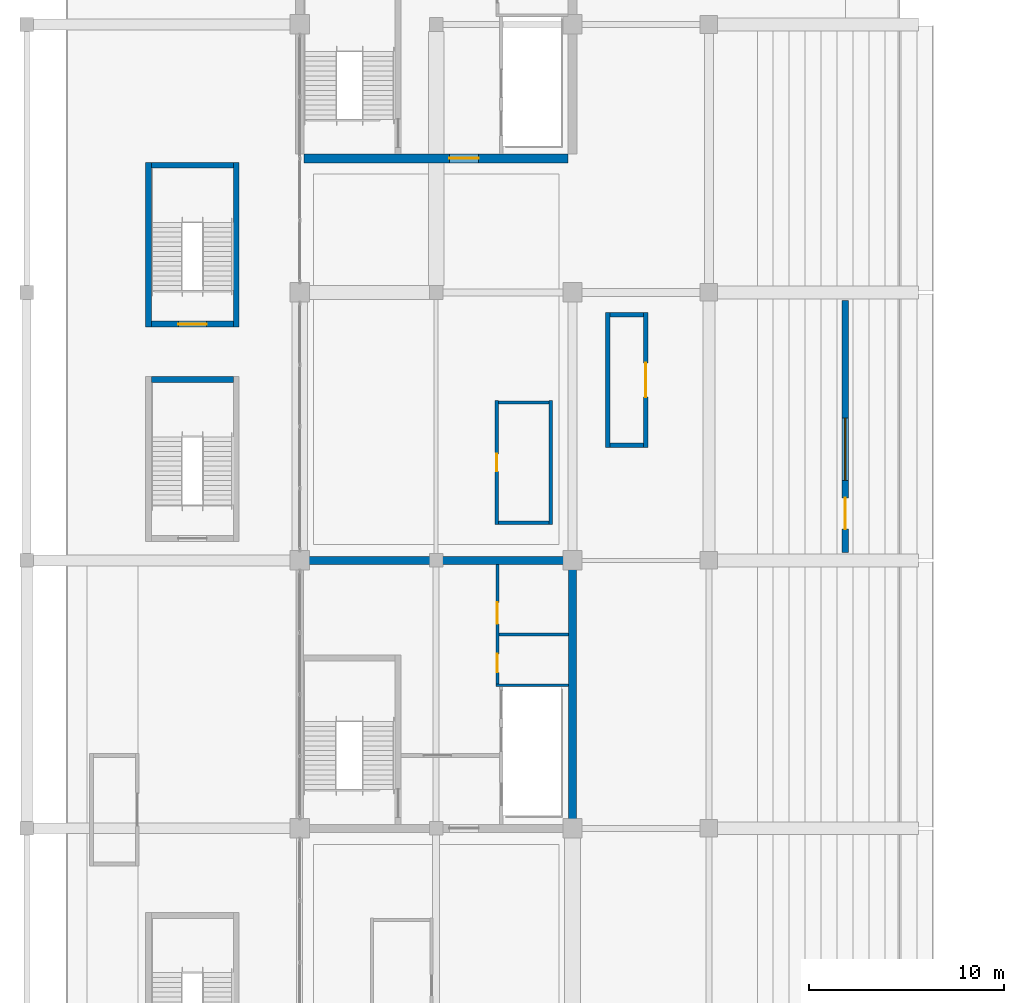
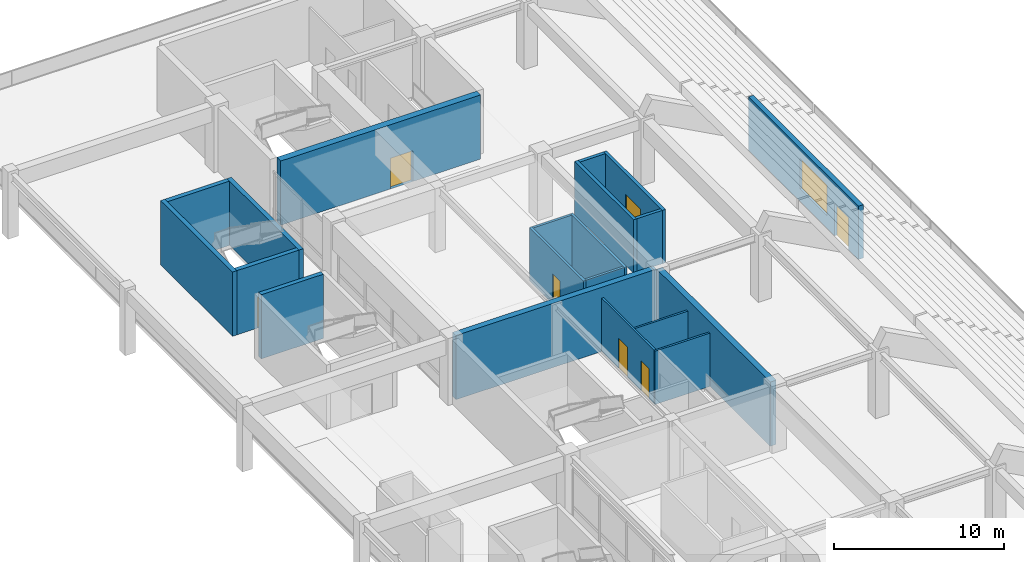
# One storey, part 72 of 94: 20 walls, 7 doors, 1 window, 8 openings.
"""IFC4 building model written with IfcOpenShell, lengths in metres."""

from ifc_helpers import new_model, si_unit, direction, frame, frame_2d, origin, place, context, subcontext, project, spatial, rectangle, extrude, material, layer, layer_set, type_object, element, fill, save


model = new_model("IFC4")

# Units and contexts
model_context = context("Model", 3, precision=1e-05, world=origin(), true_north=direction((0.0, 1.0)))
body_context = subcontext(model_context, "Body", "Model", "MODEL_VIEW")
ifc_project = project(units=[si_unit("LENGTHUNIT", "METRE"), si_unit("AREAUNIT", "SQUARE_METRE"), si_unit("VOLUMEUNIT", "CUBIC_METRE"), si_unit("PLANEANGLEUNIT", "RADIAN"), si_unit("MASSUNIT", "GRAM", prefix="KILO")], contexts=[model_context])

# Site, building, storey
site_placement = place(None, origin())
site = spatial("IfcSite", under=ifc_project, at=site_placement, CompositionType="ELEMENT")
building_placement = place(site_placement, origin())
building = spatial("IfcBuilding", under=site, at=building_placement, Name="Linyun Crest Stadium", CompositionType="ELEMENT")
storey_placement = place(building_placement, frame((0.0, 0.0, 16.199951171875)))
storey = spatial("IfcBuildingStorey", under=building, at=storey_placement, Name="L04", CompositionType="ELEMENT", Elevation=16.199951171875)

# Walls
ifc_material_1 = material(Name="Concrete C50", Category="concrete")
ifc_layer_1 = layer(ifc_material_1, 0.39990234375)
ifc_layer_set_1 = layer_set([ifc_layer_1], Name="Concrete C50")
wall_type_1 = type_object("IfcWallType", Name="CW02", PredefinedType="SHEAR", material=ifc_layer_set_1)
wall_1_placement = place(storey_placement, frame((-70.0, 2.324951171875, 0.0), z_axis=(0.0, 0.0, 1.0), x_axis=(0.0, 1.0, 0.0)))
element("IfcWall", 1, at=wall_1_placement, inside=storey, type_object=wall_type_1, Name="Core shear wall CW02 CORE-W2 L04.2", PredefinedType="SHEAR", context=body_context, shape_type="SweptSolid", body=[
    extrude(rectangle(XDim=13.35009765625, YDim=0.39990234375, at=frame_2d((6.675048828125, 0.0))), origin(), (0.0, 0.0, 1.0), 4.60009765625),
])
wall_2_placement = place(storey_placement, frame((-83.800048828125, 15.875, 0.0), z_axis=(0.0, 0.0, 1.0), x_axis=(1.0, 0.0, 0.0)))
element("IfcWall", 2, at=wall_2_placement, inside=storey, type_object=wall_type_1, Name="Core shear wall CW02 CORE-W2 L04.4", PredefinedType="SHEAR", context=body_context, shape_type="SweptSolid", body=[
    extrude(rectangle(XDim=13.60009765625, YDim=0.39990234375, at=frame_2d((6.800048828125, 0.0))), origin(), (0.0, 0.0, 1.0), 4.60009765625),
])

# Wall, opening, door
ifc_material_2 = material(Name="Concrete C50", Category="concrete")
ifc_layer_2 = layer(ifc_material_2, 0.449951171875)
ifc_layer_set_2 = layer_set([ifc_layer_2], Name="Concrete C50")
wall_type_2 = type_object("IfcWallType", Name="CW03", PredefinedType="SHEAR", material=ifc_layer_set_2)
wall_3_placement = place(storey_placement, frame((-83.77490234375, 36.5, 0.0), z_axis=(0.0, 0.0, 1.0), x_axis=(1.0, 0.0, 0.0)))
wall_3 = element("IfcWall", 3, at=wall_3_placement, inside=storey, type_object=wall_type_2, Name="Core shear wall CW03 CORE-W3 L04.3", PredefinedType="SHEAR", context=body_context, shape_type="SweptSolid", body=[
    extrude(rectangle(XDim=13.5498046875, YDim=0.449951171875, at=frame_2d((6.77490234375, 0.0))), origin(), (0.0, 0.0, 1.0), 4.60009765625),
])
opening_1_placement = place(wall_3_placement, frame((7.452880859375, 0.0, 0.0)))
opening_1 = element("IfcOpeningElement", 4, at=opening_1_placement, cuts=wall_3, Name="Opening D-L04-130", PredefinedType="OPENING", context=body_context, shape_type="SweptSolid", body=[
    extrude(rectangle(XDim=1.5, YDim=2.199951171875, at=frame_2d((0.75, 1.10009765625))), frame((0.0, 0.23486328125, 0.0), z_axis=(0.0, -1.0, 0.0), x_axis=(1.0, 0.0, 0.0)), (0.0, 0.0, 1.0), 0.469970703125),
])
ifc_material_3 = material(Name="Galvanized steel Class A fire door", Category="steel")
ifc_layer_3 = layer(ifc_material_3, 0.054931640625)
ifc_layer_set_3 = layer_set([ifc_layer_3], Name="Galvanized steel Class A fire door")
door_type_1 = type_object("IfcDoorType", Name="FD01", OperationType="NOTDEFINED", PredefinedType="DOOR", material=ifc_layer_set_3)
door_1_placement = place(opening_1_placement, origin())
door_1 = element("IfcDoor", 5, at=door_1_placement, inside=storey, type_object=door_type_1, Name="Door D-L04-130", OperationType="SINGLE_SWING_RIGHT", OverallHeight=2.199951171875, OverallWidth=1.5, PredefinedType="DOOR", context=body_context, shape_type="SweptSolid", body=[
    extrude(rectangle(XDim=1.5, YDim=2.199951171875, at=frame_2d((0.75, 1.10009765625))), frame((0.0, 0.02490234375, 0.0), z_axis=(0.0, -1.0, 0.0), x_axis=(1.0, 0.0, 0.0)), (0.0, 0.0, 1.0), 0.050048828125),
])
fill(opening_1, door_1)

# Wall, openings, door, window
ifc_material_4 = material(Name="Precast concrete C40 insulated facade panel", Category="concrete")
ifc_layer_4 = layer(ifc_material_4, 0.330078125)
ifc_layer_set_4 = layer_set([ifc_layer_4], Name="Precast concrete C40 insulated facade panel")
wall_type_3 = type_object("IfcWallType", Name="EW05", PredefinedType="SOLIDWALL", material=ifc_layer_set_4)
wall_4_placement = place(storey_placement, frame((-56.0, 16.280029296875, 0.0), z_axis=(0.0, 0.0, 1.0), x_axis=(0.0, 1.0, 0.0)))
wall_4 = element("IfcWall", 6, at=wall_4_placement, inside=storey, type_object=wall_type_3, Name="Exterior wall EW05 L04 67", PredefinedType="SOLIDWALL", context=body_context, shape_type="SweptSolid", body=[
    extrude(rectangle(XDim=12.93994140625, YDim=0.330078125, at=frame_2d((6.469970703125, 0.0))), origin(), (0.0, 0.0, 1.0), 3.820068359375),
])
opening_2_placement = place(wall_4_placement, frame((1.199951171875, 0.0, 0.0)))
opening_2 = element("IfcOpeningElement", 7, at=opening_2_placement, cuts=wall_4, Name="Opening BD-L04-06", PredefinedType="OPENING", context=body_context, shape_type="SweptSolid", body=[
    extrude(rectangle(XDim=1.60009765625, YDim=2.300048828125, at=frame_2d((0.800048828125, 1.14990234375))), frame((0.0, 0.175048828125, 0.0), z_axis=(0.0, -1.0, 0.0), x_axis=(1.0, 0.0, 0.0)), (0.0, 0.0, 1.0), 0.35009765625),
])
opening_3_placement = place(wall_4_placement, frame((3.699951171875, 0.0, 0.89990234375)))
opening_3 = element("IfcOpeningElement", 8, at=opening_3_placement, cuts=wall_4, Name="Opening WN10", PredefinedType="OPENING", context=body_context, shape_type="SweptSolid", body=[
    extrude(rectangle(XDim=3.199951171875, YDim=2.199951171875, at=frame_2d((1.60009765625, 1.10009765625))), frame((0.0, 0.175048828125, 0.0), z_axis=(0.0, -1.0, 0.0), x_axis=(1.0, 0.0, 0.0)), (0.0, 0.0, 1.0), 0.35009765625),
])
ifc_material_5 = material(Name="Thermally broken aluminium and low-E glass", Category="aluminium")
ifc_layer_5 = layer(ifc_material_5, 0.054931640625)
ifc_layer_set_5 = layer_set([ifc_layer_5], Name="Thermally broken aluminium and low-E glass")
door_type_2 = type_object("IfcDoorType", Name="BD04", OperationType="NOTDEFINED", PredefinedType="DOOR", material=ifc_layer_set_5)
door_2_placement = place(opening_2_placement, origin())
door_2 = element("IfcDoor", 9, at=door_2_placement, inside=storey, type_object=door_type_2, Name="Terrace door BD-L04-06", OperationType="SINGLE_SWING_RIGHT", OverallHeight=2.300048828125, OverallWidth=1.60009765625, PredefinedType="DOOR", context=body_context, shape_type="SweptSolid", body=[
    extrude(rectangle(XDim=1.60009765625, YDim=2.300048828125, at=frame_2d((0.800048828125, 1.14990234375))), frame((0.0, 0.02490234375, 0.0), z_axis=(0.0, -1.0, 0.0), x_axis=(1.0, 0.0, 0.0)), (0.0, 0.0, 1.0), 0.050048828125),
])
fill(opening_2, door_2)
ifc_material_6 = material(Name="Hospitality panoramic low-E vision window")
ifc_layer_6 = layer(ifc_material_6, 0.06494140625)
ifc_layer_set_6 = layer_set([ifc_layer_6], Name="Hospitality panoramic low-E vision window")
window_type = type_object("IfcWindowType", Name="WN10", PartitioningType="SINGLE_PANEL", PredefinedType="WINDOW", material=ifc_layer_set_6)
window_placement = place(opening_3_placement, origin())
window = element("IfcWindow", 10, at=window_placement, inside=storey, type_object=window_type, Name="Window WN10 L04 42", OverallHeight=2.199951171875, OverallWidth=3.199951171875, PartitioningType="SINGLE_PANEL", PredefinedType="WINDOW", context=body_context, shape_type="SweptSolid", body=[
    extrude(rectangle(XDim=3.199951171875, YDim=2.199951171875, at=frame_2d((1.60009765625, 1.10009765625))), frame((0.0, 0.030029296875, 0.0), z_axis=(0.0, -1.0, 0.0), x_axis=(1.0, 0.0, 0.0)), (0.0, 0.0, 1.0), 0.06005859375),
])
fill(opening_3, window)

# Wall, opening, door
ifc_material_7 = material(Name="Double steel-stud acoustic fire partition", Category="steel")
ifc_layer_7 = layer(ifc_material_7, 0.1650390625)
ifc_layer_set_7 = layer_set([ifc_layer_7], Name="Double steel-stud acoustic fire partition")
wall_type_4 = type_object("IfcWallType", Name="PW13", PredefinedType="PARTITIONING", material=ifc_layer_set_7)
wall_5_placement = place(storey_placement, frame((-73.89208984375, 17.72802734375, 0.0), z_axis=(0.0, 0.0, 1.0), x_axis=(0.0, 1.0, 0.0)))
wall_5 = element("IfcWall", 11, at=wall_5_placement, inside=storey, type_object=wall_type_4, Name="Partition PW13 L04 216", PredefinedType="PARTITIONING", context=body_context, shape_type="SweptSolid", body=[
    extrude(rectangle(XDim=6.340087890625, YDim=0.1650390625, at=frame_2d((3.169921875, 0.0))), origin(), (0.0, 0.0, 1.0), 3.820068359375),
])
opening_4_placement = place(wall_5_placement, frame((2.719970703125, 0.0, 0.0)))
opening_4 = element("IfcOpeningElement", 12, at=opening_4_placement, cuts=wall_5, Name="Opening D-L04-479", PredefinedType="OPENING", context=body_context, shape_type="SweptSolid", body=[
    extrude(rectangle(XDim=0.89990234375, YDim=2.14990234375, at=frame_2d((0.449951171875, 1.074951171875))), frame((0.0, 0.092529296875, 0.0), z_axis=(0.0, -1.0, 0.0), x_axis=(1.0, 0.0, 0.0)), (0.0, 0.0, 1.0), 0.18505859375),
])
ifc_material_8 = material(Name="Acoustic glazed booth door")
ifc_layer_8 = layer(ifc_material_8, 0.050048828125)
ifc_layer_set_8 = layer_set([ifc_layer_8], Name="Acoustic glazed booth door")
door_type_3 = type_object("IfcDoorType", Name="ID11", OperationType="NOTDEFINED", PredefinedType="DOOR", material=ifc_layer_set_8)
door_3_placement = place(opening_4_placement, origin())
door_3 = element("IfcDoor", 13, at=door_3_placement, inside=storey, type_object=door_type_3, Name="Door D-L04-479", OperationType="SINGLE_SWING_LEFT", OverallHeight=2.14990234375, OverallWidth=0.89990234375, PredefinedType="DOOR", context=body_context, shape_type="SweptSolid", body=[
    extrude(rectangle(XDim=0.89990234375, YDim=2.14990234375, at=frame_2d((0.449951171875, 1.074951171875))), frame((0.0, 0.02490234375, 0.0), z_axis=(0.0, -1.0, 0.0), x_axis=(1.0, 0.0, 0.0)), (0.0, 0.0, 1.0), 0.050048828125),
])
fill(opening_4, door_3)

# Walls
wall_6_placement = place(storey_placement, frame((-71.112060546875, 17.72802734375, 0.0), z_axis=(0.0, 0.0, 1.0), x_axis=(0.0, 1.0, 0.0)))
element("IfcWall", 14, at=wall_6_placement, inside=storey, type_object=wall_type_4, Name="Enclosure partition PW13 L04 364", PredefinedType="PARTITIONING", context=body_context, shape_type="SweptSolid", body=[
    extrude(rectangle(XDim=6.340087890625, YDim=0.1650390625, at=frame_2d((3.169921875, 0.0))), origin(), (0.0, 0.0, 1.0), 3.820068359375),
])
for number, where, z_axis, x_axis, name in (
    (15, (-73.80908203125, 17.81103515625, 0.0), (0.0, 0.0, 1.0), (1.0, 0.0, 0.0), "Enclosure partition PW13 L04 365"),
    (16, (-73.80908203125, 23.985107421875, 0.0), (0.0, 0.0, 1.0), (1.0, 0.0, 0.0), "Enclosure partition PW13 L04 366"),
):
    element("IfcWall", number, at=place(storey_placement, frame(where, z_axis=z_axis, x_axis=x_axis)), inside=storey, type_object=wall_type_4, Name=name, PredefinedType="PARTITIONING", context=body_context, shape_type="SweptSolid", body=[
        extrude(rectangle(XDim=2.614013671875, YDim=0.1650390625, at=frame_2d((1.30712890625, 0.0))), origin(), (0.0, 0.0, 1.0), 3.820068359375),
    ])

# Wall, openings, doors
ifc_material_9 = material(Name="Moisture-resistant ceramic-tiled wet-room wall")
ifc_layer_9 = layer(ifc_material_9, 0.139892578125)
ifc_layer_set_9 = layer_set([ifc_layer_9], Name="Moisture-resistant ceramic-tiled wet-room wall")
wall_type_5 = type_object("IfcWallType", Name="PW15", PredefinedType="PARTITIONING", material=ifc_layer_set_9)
wall_7_placement = place(storey_placement, frame((-73.85009765625, 9.544921875, 0.0), z_axis=(0.0, 0.0, 1.0), x_axis=(0.0, 1.0, 0.0)))
wall_7 = element("IfcWall", 17, at=wall_7_placement, inside=storey, type_object=wall_type_5, Name="Partition PW15 L04 36", PredefinedType="PARTITIONING", context=body_context, shape_type="SweptSolid", body=[
    extrude(rectangle(XDim=6.130126953125, YDim=0.139892578125, at=frame_2d((3.06494140625, 0.0))), origin(), (0.0, 0.0, 1.0), 3.820068359375),
])
opening_5_placement = place(wall_7_placement, frame((0.580078125, 0.0, 0.0)))
opening_5 = element("IfcOpeningElement", 18, at=opening_5_placement, cuts=wall_7, Name="Opening D-L04-088", PredefinedType="OPENING", context=body_context, shape_type="SweptSolid", body=[
    extrude(rectangle(XDim=0.949951171875, YDim=2.14990234375, at=frame_2d((0.47509765625, 1.074951171875))), frame((0.0, 0.079833984375, 0.0), z_axis=(0.0, -1.0, 0.0), x_axis=(1.0, 0.0, 0.0)), (0.0, 0.0, 1.0), 0.159912109375),
])
opening_6_placement = place(wall_7_placement, frame((3.080078125, 0.0, 0.0)))
opening_6 = element("IfcOpeningElement", 19, at=opening_6_placement, cuts=wall_7, Name="Opening D-L04-089", PredefinedType="OPENING", context=body_context, shape_type="SweptSolid", body=[
    extrude(rectangle(XDim=1.10009765625, YDim=2.14990234375, at=frame_2d((0.550048828125, 1.074951171875))), frame((0.0, 0.079833984375, 0.0), z_axis=(0.0, -1.0, 0.0), x_axis=(1.0, 0.0, 0.0)), (0.0, 0.0, 1.0), 0.159912109375),
])
ifc_material_10 = material(Name="Moisture-resistant laminate leaf")
ifc_layer_10 = layer(ifc_material_10, 0.044921875)
ifc_layer_set_10 = layer_set([ifc_layer_10], Name="Moisture-resistant laminate leaf")
door_type_4 = type_object("IfcDoorType", Name="ID02", OperationType="NOTDEFINED", PredefinedType="DOOR", material=ifc_layer_set_10)
door_4_placement = place(opening_5_placement, origin())
door_4 = element("IfcDoor", 20, at=door_4_placement, inside=storey, type_object=door_type_4, Name="Door D-L04-088", OperationType="SINGLE_SWING_RIGHT", OverallHeight=2.14990234375, OverallWidth=0.949951171875, PredefinedType="DOOR", context=body_context, shape_type="SweptSolid", body=[
    extrude(rectangle(XDim=0.949951171875, YDim=2.14990234375, at=frame_2d((0.47509765625, 1.074951171875))), frame((0.0, 0.02490234375, 0.0), z_axis=(0.0, -1.0, 0.0), x_axis=(1.0, 0.0, 0.0)), (0.0, 0.0, 1.0), 0.050048828125),
])
fill(opening_5, door_4)
ifc_material_11 = material(Name="Moisture-resistant laminate leaf")
ifc_layer_11 = layer(ifc_material_11, 0.044921875)
ifc_layer_set_11 = layer_set([ifc_layer_11], Name="Moisture-resistant laminate leaf")
door_type_5 = type_object("IfcDoorType", Name="ID03", OperationType="NOTDEFINED", PredefinedType="DOOR", material=ifc_layer_set_11)
door_5_placement = place(opening_6_placement, origin())
door_5 = element("IfcDoor", 21, at=door_5_placement, inside=storey, type_object=door_type_5, Name="Door D-L04-089", OperationType="SINGLE_SWING_LEFT", OverallHeight=2.14990234375, OverallWidth=1.10009765625, PredefinedType="DOOR", context=body_context, shape_type="SweptSolid", body=[
    extrude(rectangle(XDim=1.10009765625, YDim=2.14990234375, at=frame_2d((0.550048828125, 1.074951171875))), frame((0.0, 0.02490234375, 0.0), z_axis=(0.0, -1.0, 0.0), x_axis=(1.0, 0.0, 0.0)), (0.0, 0.0, 1.0), 0.050048828125),
])
fill(opening_6, door_5)

# Walls
wall_8_placement = place(storey_placement, frame((-73.919921875, 9.47509765625, 0.0), z_axis=(0.0, 0.0, 1.0), x_axis=(1.0, 0.0, 0.0)))
element("IfcWall", 22, at=wall_8_placement, inside=storey, type_object=wall_type_5, Name="Enclosure partition PW15 L04 23", PredefinedType="PARTITIONING", context=body_context, shape_type="SweptSolid", body=[
    extrude(rectangle(XDim=3.719970703125, YDim=0.139892578125, at=frame_2d((1.85986328125, 0.0))), origin(), (0.0, 0.0, 1.0), 3.820068359375),
])
wall_9_placement = place(storey_placement, frame((-73.780029296875, 12.074951171875, 0.0), z_axis=(0.0, 0.0, 1.0), x_axis=(1.0, 0.0, 0.0)))
element("IfcWall", 23, at=wall_9_placement, inside=storey, type_object=wall_type_5, Name="Enclosure partition PW15 L04 24", PredefinedType="PARTITIONING", context=body_context, shape_type="SweptSolid", body=[
    extrude(rectangle(XDim=3.580078125, YDim=0.139892578125, at=frame_2d((1.7900390625, 0.0))), origin(), (0.0, 0.0, 1.0), 3.820068359375),
])

# Wall, opening, door
ifc_material_12 = material(Name="Acoustic broadcast studio double-leaf partition")
ifc_layer_12 = layer(ifc_material_12, 0.219970703125)
ifc_layer_set_12 = layer_set([ifc_layer_12], Name="Acoustic broadcast studio double-leaf partition")
wall_type_6 = type_object("IfcWallType", Name="PW16", PredefinedType="PARTITIONING", material=ifc_layer_set_12)
wall_10_placement = place(storey_placement, frame((-66.236083984375, 28.593994140625, 0.0), z_axis=(0.0, 0.0, 1.0), x_axis=(0.0, -1.0, 0.0)))
wall_10 = element("IfcWall", 24, at=wall_10_placement, inside=storey, type_object=wall_type_6, Name="Partition PW16 L04 218", PredefinedType="PARTITIONING", context=body_context, shape_type="SweptSolid", body=[
    extrude(rectangle(XDim=6.919921875, YDim=0.219970703125, at=frame_2d((3.4599609375, 0.0))), origin(), (0.0, 0.0, 1.0), 3.820068359375),
])
opening_7_placement = place(wall_10_placement, frame((2.5849609375, 0.0, 0.0)))
opening_7 = element("IfcOpeningElement", 25, at=opening_7_placement, cuts=wall_10, Name="Opening D-L04-481", PredefinedType="OPENING", context=body_context, shape_type="SweptSolid", body=[
    extrude(rectangle(XDim=1.75, YDim=2.35009765625, at=frame_2d((0.875, 1.175048828125))), frame((0.0, 0.119873046875, 0.0), z_axis=(0.0, -1.0, 0.0), x_axis=(1.0, 0.0, 0.0)), (0.0, 0.0, 1.0), 0.239990234375),
])
ifc_material_13 = material(Name="Art Nouveau brass-inlaid double door")
ifc_layer_13 = layer(ifc_material_13, 0.054931640625)
ifc_layer_set_13 = layer_set([ifc_layer_13], Name="Art Nouveau brass-inlaid double door")
door_type_6 = type_object("IfcDoorType", Name="ID13", OperationType="NOTDEFINED", PredefinedType="DOOR", material=ifc_layer_set_13)
door_6_placement = place(opening_7_placement, origin())
door_6 = element("IfcDoor", 26, at=door_6_placement, inside=storey, type_object=door_type_6, Name="Door D-L04-481", OperationType="DOUBLE_DOOR_SINGLE_SWING", OverallHeight=2.35009765625, OverallWidth=1.75, PredefinedType="DOOR", context=body_context, shape_type="SweptSolid", body=[
    extrude(rectangle(XDim=1.75, YDim=2.35009765625, at=frame_2d((0.875, 1.175048828125))), frame((0.0, 0.02490234375, 0.0), z_axis=(0.0, -1.0, 0.0), x_axis=(1.0, 0.0, 0.0)), (0.0, 0.0, 1.0), 0.050048828125),
])
fill(opening_7, door_6)

# Walls
wall_11_placement = place(storey_placement, frame((-68.18603515625, 21.674072265625, 0.0), z_axis=(0.0, 0.0, 1.0), x_axis=(0.0, 1.0, 0.0)))
element("IfcWall", 27, at=wall_11_placement, inside=storey, type_object=wall_type_6, Name="Enclosure partition PW16 L04 370", PredefinedType="PARTITIONING", context=body_context, shape_type="SweptSolid", body=[
    extrude(rectangle(XDim=6.919921875, YDim=0.219970703125, at=frame_2d((3.4599609375, 0.0))), origin(), (0.0, 0.0, 1.0), 3.820068359375),
])
for number, where, z_axis, x_axis, name in (
    (28, (-68.075927734375, 21.783935546875, 0.0), (0.0, 0.0, 1.0), (1.0, 0.0, 0.0), "Enclosure partition PW16 L04 371"),
    (29, (-68.075927734375, 28.48388671875, 0.0), (0.0, 0.0, 1.0), (1.0, 0.0, 0.0), "Enclosure partition PW16 L04 372"),
):
    element("IfcWall", number, at=place(storey_placement, frame(where, z_axis=z_axis, x_axis=x_axis)), inside=storey, type_object=wall_type_6, Name=name, PredefinedType="PARTITIONING", context=body_context, shape_type="SweptSolid", body=[
        extrude(rectangle(XDim=1.72998046875, YDim=0.219970703125, at=frame_2d((0.864990234375, 0.0))), origin(), (0.0, 0.0, 1.0), 3.820068359375),
    ])
ifc_material_14 = material(Name="Concrete C50", Category="concrete")
ifc_layer_14 = layer(ifc_material_14, 0.300048828125)
ifc_layer_set_14 = layer_set([ifc_layer_14], Name="Concrete C50")
wall_type_7 = type_object("IfcWallType", Name="SW01", PredefinedType="SHEAR", material=ifc_layer_set_14)
wall_12_placement = place(storey_placement, frame((-91.60009765625, 25.14990234375, 0.0), z_axis=(0.0, 0.0, 1.0), x_axis=(1.0, 0.0, 0.0)))
element("IfcWall", 30, at=wall_12_placement, inside=storey, type_object=wall_type_7, Name="Stair shaft wall SW01 STR-16 L04 N", PredefinedType="SHEAR", context=body_context, shape_type="SweptSolid", body=[
    extrude(rectangle(XDim=4.2001953125, YDim=0.300048828125, at=frame_2d((2.10009765625, 0.0))), origin(), (0.0, 0.0, 1.0), 4.60009765625),
])

# Wall, opening, door
wall_13_placement = place(storey_placement, frame((-91.60009765625, 28.0, 0.0), z_axis=(0.0, 0.0, 1.0), x_axis=(1.0, 0.0, 0.0)))
wall_13 = element("IfcWall", 31, at=wall_13_placement, inside=storey, type_object=wall_type_7, Name="Stair shaft wall SW01 STR-17 L04 S", PredefinedType="SHEAR", context=body_context, shape_type="SweptSolid", body=[
    extrude(rectangle(XDim=4.2001953125, YDim=0.300048828125, at=frame_2d((2.10009765625, 0.0))), origin(), (0.0, 0.0, 1.0), 4.60009765625),
])
opening_8_placement = place(wall_13_placement, frame((1.375, 0.0, 0.0)))
opening_8 = element("IfcOpeningElement", 32, at=opening_8_placement, cuts=wall_13, Name="Opening D-L04-565", PredefinedType="OPENING", context=body_context, shape_type="SweptSolid", body=[
    extrude(rectangle(XDim=1.449951171875, YDim=2.199951171875, at=frame_2d((0.72509765625, 1.10009765625))), frame((0.0, 0.159912109375, 0.0), z_axis=(0.0, -1.0, 0.0), x_axis=(1.0, 0.0, 0.0)), (0.0, 0.0, 1.0), 0.320068359375),
])
ifc_material_15 = material(Name="Galvanized steel Class A fire door", Category="steel")
ifc_layer_15 = layer(ifc_material_15, 0.054931640625)
ifc_layer_set_15 = layer_set([ifc_layer_15], Name="Galvanized steel Class A fire door")
door_type_7 = type_object("IfcDoorType", Name="FD02", OperationType="NOTDEFINED", PredefinedType="DOOR", material=ifc_layer_set_15)
door_7_placement = place(opening_8_placement, origin())
door_7 = element("IfcDoor", 33, at=door_7_placement, inside=storey, type_object=door_type_7, Name="Door D-L04-565", OperationType="SINGLE_SWING_LEFT", OverallHeight=2.199951171875, OverallWidth=1.449951171875, PredefinedType="DOOR", context=body_context, shape_type="SweptSolid", body=[
    extrude(rectangle(XDim=1.449951171875, YDim=2.199951171875, at=frame_2d((0.72509765625, 1.10009765625))), frame((0.0, 0.02490234375, 0.0), z_axis=(0.0, -1.0, 0.0), x_axis=(1.0, 0.0, 0.0)), (0.0, 0.0, 1.0), 0.050048828125),
])
fill(opening_8, door_7)

# Walls
wall_14_placement = place(storey_placement, frame((-91.60009765625, 36.14990234375, 0.0), z_axis=(0.0, 0.0, 1.0), x_axis=(1.0, 0.0, 0.0)))
element("IfcWall", 34, at=wall_14_placement, inside=storey, type_object=wall_type_7, Name="Stair shaft wall SW01 STR-17 L04 N", PredefinedType="SHEAR", context=body_context, shape_type="SweptSolid", body=[
    extrude(rectangle(XDim=4.2001953125, YDim=0.300048828125, at=frame_2d((2.10009765625, 0.0))), origin(), (0.0, 0.0, 1.0), 4.60009765625),
])
for number, where, z_axis, x_axis, name in (
    (35, (-91.75, 27.85009765625, 0.0), (0.0, 0.0, 1.0), (0.0, 1.0, 0.0), "Stair shaft wall SW01 STR-17 L04 W"),
    (36, (-87.25, 27.85009765625, 0.0), (0.0, 0.0, 1.0), (0.0, 1.0, 0.0), "Stair shaft wall SW01 STR-17 L04 E"),
):
    element("IfcWall", number, at=place(storey_placement, frame(where, z_axis=z_axis, x_axis=x_axis)), inside=storey, type_object=wall_type_7, Name=name, PredefinedType="SHEAR", context=body_context, shape_type="SweptSolid", body=[
        extrude(rectangle(XDim=8.449951171875, YDim=0.300048828125, at=frame_2d((4.22509765625, 0.0))), origin(), (0.0, 0.0, 1.0), 4.60009765625),
    ])

save(model, "model.ifc")
